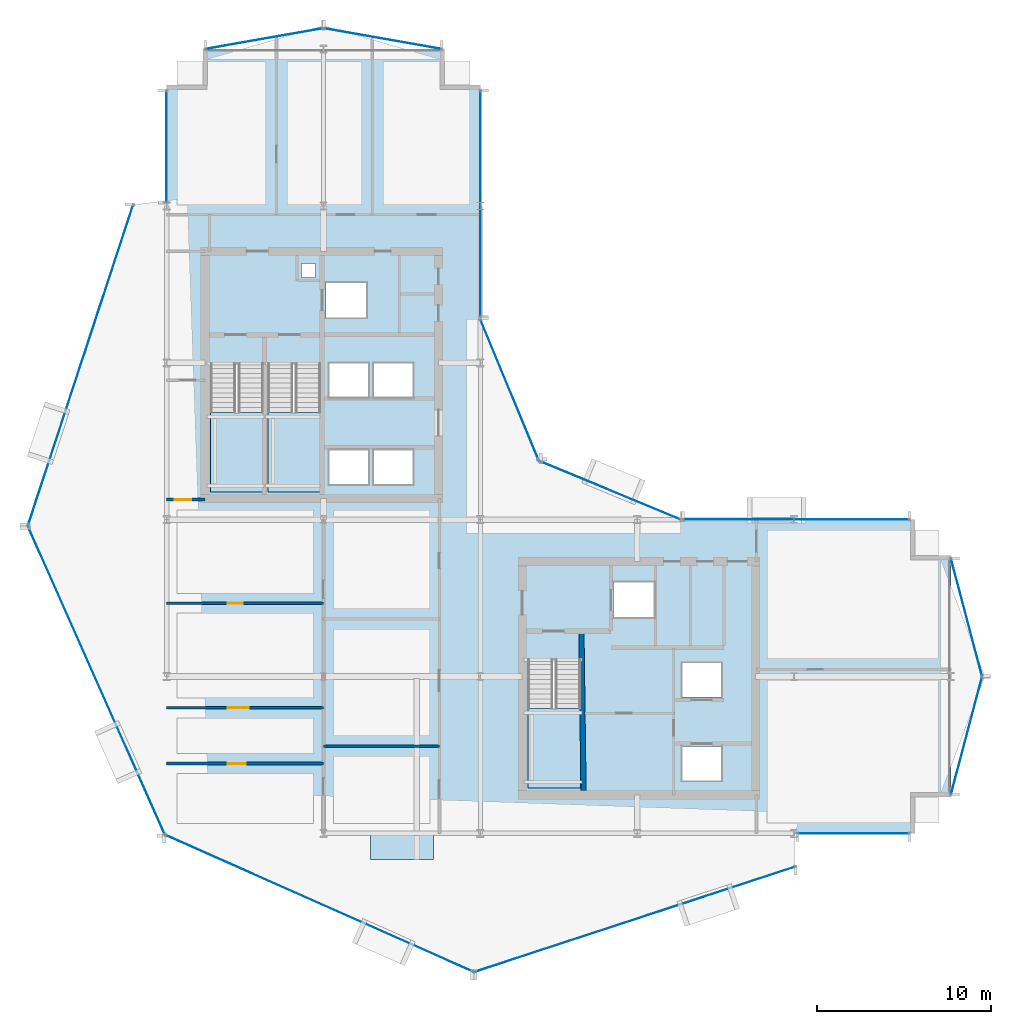
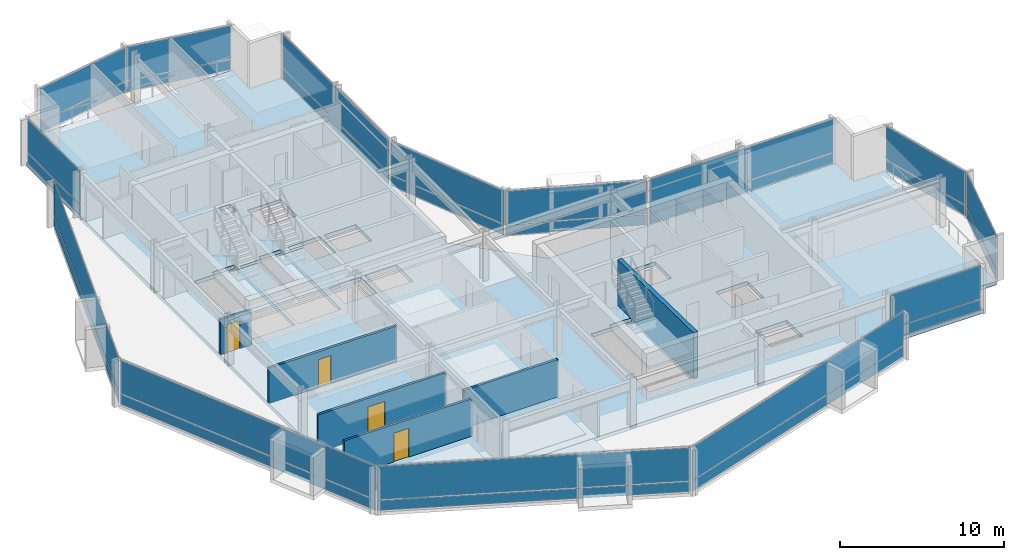
# One storey, part 21 of 29: 28 plates, 6 walls, 5 slabs, 4 doors, 4 openings, 17 elements without a shape of their own.
"""IFC4 building model written with IfcOpenShell, lengths in metres."""

from ifc_helpers import new_model, si_unit, direction, frame, frame_2d, origin, origin_2d, place, context, subcontext, project, spatial, polyline, rectangle, outline, extrude, material, layer, layer_set, type_object, element, fill, aggregate, save


model = new_model("IFC4")

# Units and contexts
model_context = context("Model", 3, precision=1e-05, world=origin(), true_north=direction((0.0, 1.0)))
body_context = subcontext(model_context, "Body", "Model", "MODEL_VIEW")
ifc_project = project(units=[si_unit("LENGTHUNIT", "METRE"), si_unit("AREAUNIT", "SQUARE_METRE"), si_unit("VOLUMEUNIT", "CUBIC_METRE"), si_unit("PLANEANGLEUNIT", "RADIAN"), si_unit("MASSUNIT", "GRAM", prefix="KILO")], contexts=[model_context])

# Site, building, storey
site_placement = place(None, origin())
site = spatial("IfcSite", under=ifc_project, at=site_placement, CompositionType="ELEMENT")
building_placement = place(site_placement, origin())
building = spatial("IfcBuilding", under=site, at=building_placement, Name="Solvaryn Broadcast Tower", CompositionType="ELEMENT")
storey_placement = place(building_placement, frame((0.0, 0.0, 128.5)))
storey = spatial("IfcBuildingStorey", under=building, at=storey_placement, Name="L31", CompositionType="ELEMENT", Elevation=128.5)

# Curtain wall, plates
ifc_material_1 = material(Name="Aluminium and Terracotta Unitised Curtain Wall", Category="masonry")
ifc_layer_1 = layer(ifc_material_1, 0.199951171875)
ifc_layer_set_1 = layer_set([ifc_layer_1], Name="CW-SYS2-LOWMID")
curtain_wall_type_1 = type_object("IfcCurtainWallType", Name="CW-SYS2-LOWMID", PredefinedType="NOTDEFINED", material=ifc_layer_set_1)
curtain_wall_1_placement = place(storey_placement, origin())
curtain_wall_1 = element("IfcCurtainWall", 1, at=curtain_wall_1_placement, inside=storey, type_object=curtain_wall_type_1, Name="L31 Curtain Wall DR1", PredefinedType="NOTDEFINED")
ifc_material_2 = material(Name="Low-Iron Insulated Vision Glass", Category="glass")
ifc_layer_2 = layer(ifc_material_2, 0.035888671875)
ifc_layer_set_2 = layer_set([ifc_layer_2], Name="CW-PNL-VISION")
plate_type = type_object("IfcPlateType", Name="CW-PNL-VISION", PredefinedType="CURTAIN_PANEL", material=ifc_layer_set_2)
plate_1_placement = place(storey_placement, frame((4.056396484375, 35.8515625, 0.06005859375), z_axis=(0.0, 0.0, 1.0), x_axis=(-0.311646057547, -0.950198260794, 0.0)))
plate_1 = element("IfcPlate", 2, at=plate_1_placement, type_object=plate_type, Name="CWS2 panel 1.1", PredefinedType="CURTAIN_PANEL", context=body_context, shape_type="SweptSolid", body=[
    extrude(rectangle(XDim=19.277099609375, YDim=0.028076171875, at=origin_2d()), origin(), (0.0, 0.0, 1.0), 0.760009765625),
])
plate_2_placement = place(storey_placement, frame((4.056396484375, 35.8515625, 0.880126953125), z_axis=(0.0, 0.0, 1.0), x_axis=(-0.311646057547, -0.950198260794, 0.0)))
plate_2 = element("IfcPlate", 3, at=plate_2_placement, type_object=plate_type, Name="CWS2 panel 1.2", PredefinedType="CURTAIN_PANEL", context=body_context, shape_type="SweptSolid", body=[
    extrude(rectangle(XDim=19.277099609375, YDim=0.028076171875, at=origin_2d()), origin(), (0.0, 0.0, 1.0), 2.47998046875),
])
aggregate(curtain_wall_1, [plate_1, plate_2])

ifc_material_3 = material(Name="Aluminium and Terracotta Unitised Curtain Wall", Category="masonry")
ifc_layer_3 = layer(ifc_material_3, 0.239990234375)
ifc_layer_set_3 = layer_set([ifc_layer_3], Name="CW-SYS3-BAYBOX")
curtain_wall_type_2 = type_object("IfcCurtainWallType", Name="CW-SYS3-BAYBOX", PredefinedType="NOTDEFINED", material=ifc_layer_set_3)
curtain_wall_2_placement = place(storey_placement, origin())
curtain_wall_2 = element("IfcCurtainWall", 4, at=curtain_wall_2_placement, inside=storey, type_object=curtain_wall_type_2, Name="L31 Curtain Wall DR2", PredefinedType="NOTDEFINED")
plate_3_placement = place(storey_placement, frame((4.970947265625, 17.77197265625, 0.06005859375), z_axis=(0.0, 0.0, 1.0), x_axis=(0.405918429309, -0.913909311008, 0.0)))
plate_3 = element("IfcPlate", 5, at=plate_3_placement, type_object=plate_type, Name="CWS3 panel 1.1", PredefinedType="CURTAIN_PANEL", context=body_context, shape_type="SweptSolid", body=[
    extrude(rectangle(XDim=19.278076171875, YDim=0.028076171875, at=origin_2d()), origin(), (0.0, 0.0, 1.0), 0.760009765625),
])
plate_4_placement = place(storey_placement, frame((4.970947265625, 17.77197265625, 0.880126953125), z_axis=(0.0, 0.0, 1.0), x_axis=(0.405918429309, -0.913909311008, 0.0)))
plate_4 = element("IfcPlate", 6, at=plate_4_placement, type_object=plate_type, Name="CWS3 panel 1.2", PredefinedType="CURTAIN_PANEL", context=body_context, shape_type="SweptSolid", body=[
    extrude(rectangle(XDim=19.278076171875, YDim=0.028076171875, at=origin_2d()), origin(), (0.0, 0.0, 1.0), 2.47998046875),
])
aggregate(curtain_wall_2, [plate_3, plate_4])

curtain_wall_3_placement = place(storey_placement, origin())
curtain_wall_3 = element("IfcCurtainWall", 7, at=curtain_wall_3_placement, inside=storey, type_object=curtain_wall_type_1, Name="L31 Curtain Wall DR3", PredefinedType="NOTDEFINED")
plate_5_placement = place(storey_placement, frame((17.77197265625, 4.970947265625, 0.06005859375), z_axis=(0.0, 0.0, 1.0), x_axis=(0.913909311008, -0.405918429309, 0.0)))
plate_5 = element("IfcPlate", 8, at=plate_5_placement, type_object=plate_type, Name="CWS2 panel 1.1", PredefinedType="CURTAIN_PANEL", context=body_context, shape_type="SweptSolid", body=[
    extrude(rectangle(XDim=19.278076171875, YDim=0.028076171875, at=origin_2d()), origin(), (0.0, 0.0, 1.0), 0.760009765625),
])
plate_6_placement = place(storey_placement, frame((17.77197265625, 4.970947265625, 0.880126953125), z_axis=(0.0, 0.0, 1.0), x_axis=(0.913909311008, -0.405918429309, 0.0)))
plate_6 = element("IfcPlate", 9, at=plate_6_placement, type_object=plate_type, Name="CWS2 panel 1.2", PredefinedType="CURTAIN_PANEL", context=body_context, shape_type="SweptSolid", body=[
    extrude(rectangle(XDim=19.278076171875, YDim=0.028076171875, at=origin_2d()), origin(), (0.0, 0.0, 1.0), 2.47998046875),
])
aggregate(curtain_wall_3, [plate_5, plate_6])

curtain_wall_4_placement = place(storey_placement, origin())
curtain_wall_4 = element("IfcCurtainWall", 10, at=curtain_wall_4_placement, inside=storey, type_object=curtain_wall_type_1, Name="L31 Curtain Wall DR4", PredefinedType="NOTDEFINED")
plate_7_placement = place(storey_placement, frame((35.8515625, 4.056396484375, 0.06005859375), z_axis=(0.0, 0.0, 1.0), x_axis=(0.950198260794, 0.311646057547, 0.0)))
plate_7 = element("IfcPlate", 11, at=plate_7_placement, type_object=plate_type, Name="CWS2 panel 1.1", PredefinedType="CURTAIN_PANEL", context=body_context, shape_type="SweptSolid", body=[
    extrude(rectangle(XDim=19.277099609375, YDim=0.028076171875, at=origin_2d()), origin(), (0.0, 0.0, 1.0), 0.760009765625),
])
plate_8_placement = place(storey_placement, frame((35.8515625, 4.056396484375, 0.880126953125), z_axis=(0.0, 0.0, 1.0), x_axis=(0.950198260794, 0.311646057547, 0.0)))
plate_8 = element("IfcPlate", 12, at=plate_8_placement, type_object=plate_type, Name="CWS2 panel 1.2", PredefinedType="CURTAIN_PANEL", context=body_context, shape_type="SweptSolid", body=[
    extrude(rectangle(XDim=19.277099609375, YDim=0.028076171875, at=origin_2d()), origin(), (0.0, 0.0, 1.0), 2.47998046875),
])
aggregate(curtain_wall_4, [plate_7, plate_8])

curtain_wall_5_placement = place(storey_placement, origin())
curtain_wall_5 = element("IfcCurtainWall", 13, at=curtain_wall_5_placement, inside=storey, type_object=curtain_wall_type_1, Name="L31 Curtain Wall W2", PredefinedType="NOTDEFINED")
plate_9_placement = place(storey_placement, frame((9.0, 48.408447265625, 0.06005859375), z_axis=(0.0, 0.0, 1.0), x_axis=(0.0, 1.0, 0.0)))
plate_9 = element("IfcPlate", 14, at=plate_9_placement, type_object=plate_type, Name="CWS2 panel 1.1", PredefinedType="CURTAIN_PANEL", context=body_context, shape_type="SweptSolid", body=[
    extrude(rectangle(XDim=6.363037109375, YDim=0.028076171875, at=origin_2d()), origin(), (0.0, 0.0, 1.0), 0.760009765625),
])
plate_10_placement = place(storey_placement, frame((9.0, 48.408447265625, 0.880126953125), z_axis=(0.0, 0.0, 1.0), x_axis=(0.0, 1.0, 0.0)))
plate_10 = element("IfcPlate", 15, at=plate_10_placement, type_object=plate_type, Name="CWS2 panel 1.2", PredefinedType="CURTAIN_PANEL", context=body_context, shape_type="SweptSolid", body=[
    extrude(rectangle(XDim=6.363037109375, YDim=0.028076171875, at=origin_2d()), origin(), (0.0, 0.0, 1.0), 2.47998046875),
])
aggregate(curtain_wall_5, [plate_9, plate_10])

curtain_wall_6_placement = place(storey_placement, origin())
curtain_wall_6 = element("IfcCurtainWall", 16, at=curtain_wall_6_placement, inside=storey, type_object=curtain_wall_type_1, Name="L31 Curtain Wall IV", PredefinedType="NOTDEFINED")
plate_11_placement = place(storey_placement, frame((27.0, 45.125, 0.06005859375), z_axis=(0.0, 0.0, 1.0), x_axis=(0.0, -1.0, 0.0)))
plate_11 = element("IfcPlate", 17, at=plate_11_placement, type_object=plate_type, Name="CWS2 panel 1.1", PredefinedType="CURTAIN_PANEL", context=body_context, shape_type="SweptSolid", body=[
    extrude(rectangle(XDim=12.929931640625, YDim=0.028076171875, at=origin_2d()), origin(), (0.0, 0.0, 1.0), 0.760009765625),
])
plate_12_placement = place(storey_placement, frame((27.0, 45.125, 0.880126953125), z_axis=(0.0, 0.0, 1.0), x_axis=(0.0, -1.0, 0.0)))
plate_12 = element("IfcPlate", 18, at=plate_12_placement, type_object=plate_type, Name="CWS2 panel 1.2", PredefinedType="CURTAIN_PANEL", context=body_context, shape_type="SweptSolid", body=[
    extrude(rectangle(XDim=12.929931640625, YDim=0.028076171875, at=origin_2d()), origin(), (0.0, 0.0, 1.0), 2.47998046875),
])
aggregate(curtain_wall_6, [plate_11, plate_12])

curtain_wall_7_placement = place(storey_placement, origin())
curtain_wall_7 = element("IfcCurtainWall", 19, at=curtain_wall_7_placement, inside=storey, type_object=curtain_wall_type_1, Name="L31 Curtain Wall CN1", PredefinedType="NOTDEFINED")
plate_13_placement = place(storey_placement, frame((34.43408203125, 28.68408203125, 0.06005859375), z_axis=(0.0, 0.0, 1.0), x_axis=(-0.923894983957, 0.382646127145, 0.0)))
plate_13 = element("IfcPlate", 20, at=plate_13_placement, type_object=plate_type, Name="CWS2 panel 1.1", PredefinedType="CURTAIN_PANEL", context=body_context, shape_type="SweptSolid", body=[
    extrude(rectangle(XDim=8.681884765625, YDim=0.028076171875, at=origin_2d()), origin(), (0.0, 0.0, 1.0), 0.760009765625),
])
plate_14_placement = place(storey_placement, frame((34.43408203125, 28.68408203125, 0.880126953125), z_axis=(0.0, 0.0, 1.0), x_axis=(-0.923894983957, 0.382646127145, 0.0)))
plate_14 = element("IfcPlate", 21, at=plate_14_placement, type_object=plate_type, Name="CWS2 panel 1.2", PredefinedType="CURTAIN_PANEL", context=body_context, shape_type="SweptSolid", body=[
    extrude(rectangle(XDim=8.681884765625, YDim=0.028076171875, at=origin_2d()), origin(), (0.0, 0.0, 1.0), 2.47998046875),
])
aggregate(curtain_wall_7, [plate_13, plate_14])

curtain_wall_8_placement = place(storey_placement, origin())
curtain_wall_8 = element("IfcCurtainWall", 22, at=curtain_wall_8_placement, inside=storey, type_object=curtain_wall_type_1, Name="L31 Curtain Wall CN2", PredefinedType="NOTDEFINED")
plate_15_placement = place(storey_placement, frame((28.68408203125, 34.43408203125, 0.06005859375), z_axis=(0.0, 0.0, 1.0), x_axis=(-0.382646127145, 0.923894983957, 0.0)))
plate_15 = element("IfcPlate", 23, at=plate_15_placement, type_object=plate_type, Name="CWS2 panel 1.1", PredefinedType="CURTAIN_PANEL", context=body_context, shape_type="SweptSolid", body=[
    extrude(rectangle(XDim=8.681884765625, YDim=0.028076171875, at=origin_2d()), origin(), (0.0, 0.0, 1.0), 0.760009765625),
])
plate_16_placement = place(storey_placement, frame((28.68408203125, 34.43408203125, 0.880126953125), z_axis=(0.0, 0.0, 1.0), x_axis=(-0.382646127145, 0.923894983957, 0.0)))
plate_16 = element("IfcPlate", 24, at=plate_16_placement, type_object=plate_type, Name="CWS2 panel 1.2", PredefinedType="CURTAIN_PANEL", context=body_context, shape_type="SweptSolid", body=[
    extrude(rectangle(XDim=8.681884765625, YDim=0.028076171875, at=origin_2d()), origin(), (0.0, 0.0, 1.0), 2.47998046875),
])
aggregate(curtain_wall_8, [plate_15, plate_16])

curtain_wall_9_placement = place(storey_placement, origin())
curtain_wall_9 = element("IfcCurtainWall", 25, at=curtain_wall_9_placement, inside=storey, type_object=curtain_wall_type_1, Name="L31 Curtain Wall S2", PredefinedType="NOTDEFINED")
plate_17_placement = place(storey_placement, frame((48.408447265625, 9.0, 0.06005859375), z_axis=(0.0, 0.0, 1.0), x_axis=(1.0, 0.0, 0.0)))
plate_17 = element("IfcPlate", 26, at=plate_17_placement, type_object=plate_type, Name="CWS2 panel 1.1", PredefinedType="CURTAIN_PANEL", context=body_context, shape_type="SweptSolid", body=[
    extrude(rectangle(XDim=6.363037109375, YDim=0.028076171875, at=origin_2d()), origin(), (0.0, 0.0, 1.0), 0.760009765625),
])
plate_18_placement = place(storey_placement, frame((48.408447265625, 9.0, 0.880126953125), z_axis=(0.0, 0.0, 1.0), x_axis=(1.0, 0.0, 0.0)))
plate_18 = element("IfcPlate", 27, at=plate_18_placement, type_object=plate_type, Name="CWS2 panel 1.2", PredefinedType="CURTAIN_PANEL", context=body_context, shape_type="SweptSolid", body=[
    extrude(rectangle(XDim=6.363037109375, YDim=0.028076171875, at=origin_2d()), origin(), (0.0, 0.0, 1.0), 2.47998046875),
])
aggregate(curtain_wall_9, [plate_17, plate_18])

curtain_wall_10_placement = place(storey_placement, origin())
curtain_wall_10 = element("IfcCurtainWall", 28, at=curtain_wall_10_placement, inside=storey, type_object=curtain_wall_type_1, Name="L31 Curtain Wall NT1", PredefinedType="NOTDEFINED")
plate_19_placement = place(storey_placement, frame((21.39990234375, 54.60009765625, 0.06005859375), z_axis=(0.0, 0.0, 1.0), x_axis=(-0.984783558819, 0.173785333901, 0.0)))
plate_19 = element("IfcPlate", 29, at=plate_19_placement, type_object=plate_type, Name="CWS2 panel 1.1", PredefinedType="CURTAIN_PANEL", context=body_context, shape_type="SweptSolid", body=[
    extrude(rectangle(XDim=6.78515625, YDim=0.028076171875, at=origin_2d()), origin(), (0.0, 0.0, 1.0), 0.760009765625),
])
plate_20_placement = place(storey_placement, frame((21.39990234375, 54.60009765625, 0.880126953125), z_axis=(0.0, 0.0, 1.0), x_axis=(-0.984783558819, 0.173785333901, 0.0)))
plate_20 = element("IfcPlate", 30, at=plate_20_placement, type_object=plate_type, Name="CWS2 panel 1.2", PredefinedType="CURTAIN_PANEL", context=body_context, shape_type="SweptSolid", body=[
    extrude(rectangle(XDim=6.78515625, YDim=0.028076171875, at=origin_2d()), origin(), (0.0, 0.0, 1.0), 2.47998046875),
])
aggregate(curtain_wall_10, [plate_19, plate_20])

curtain_wall_11_placement = place(storey_placement, origin())
curtain_wall_11 = element("IfcCurtainWall", 31, at=curtain_wall_11_placement, inside=storey, type_object=curtain_wall_type_1, Name="L31 Curtain Wall NT2", PredefinedType="NOTDEFINED")
plate_21_placement = place(storey_placement, frame((14.60009765625, 54.60009765625, 0.06005859375), z_axis=(0.0, 0.0, 1.0), x_axis=(-0.984783558819, -0.173785333901, 0.0)))
plate_21 = element("IfcPlate", 32, at=plate_21_placement, type_object=plate_type, Name="CWS2 panel 1.1", PredefinedType="CURTAIN_PANEL", context=body_context, shape_type="SweptSolid", body=[
    extrude(rectangle(XDim=6.78515625, YDim=0.028076171875, at=origin_2d()), origin(), (0.0, 0.0, 1.0), 0.760009765625),
])
plate_22_placement = place(storey_placement, frame((14.60009765625, 54.60009765625, 0.880126953125), z_axis=(0.0, 0.0, 1.0), x_axis=(-0.984783558819, -0.173785333901, 0.0)))
plate_22 = element("IfcPlate", 33, at=plate_22_placement, type_object=plate_type, Name="CWS2 panel 1.2", PredefinedType="CURTAIN_PANEL", context=body_context, shape_type="SweptSolid", body=[
    extrude(rectangle(XDim=6.78515625, YDim=0.028076171875, at=origin_2d()), origin(), (0.0, 0.0, 1.0), 2.47998046875),
])
aggregate(curtain_wall_11, [plate_21, plate_22])

curtain_wall_12_placement = place(storey_placement, origin())
curtain_wall_12 = element("IfcCurtainWall", 34, at=curtain_wall_12_placement, inside=storey, type_object=curtain_wall_type_1, Name="L31 Curtain Wall ET1", PredefinedType="NOTDEFINED")
plate_23_placement = place(storey_placement, frame((54.89990234375, 21.39990234375, 0.06005859375), z_axis=(0.0, 0.0, 1.0), x_axis=(0.25589256031, -0.966705227863, 0.0)))
plate_23 = element("IfcPlate", 35, at=plate_23_placement, type_object=plate_type, Name="CWS2 panel 1.1", PredefinedType="CURTAIN_PANEL", context=body_context, shape_type="SweptSolid", body=[
    extrude(rectangle(XDim=6.914306640625, YDim=0.028076171875, at=origin_2d()), origin(), (0.0, 0.0, 1.0), 0.760009765625),
])
plate_24_placement = place(storey_placement, frame((54.89990234375, 21.39990234375, 0.880126953125), z_axis=(0.0, 0.0, 1.0), x_axis=(0.25589256031, -0.966705227863, 0.0)))
plate_24 = element("IfcPlate", 36, at=plate_24_placement, type_object=plate_type, Name="CWS2 panel 1.2", PredefinedType="CURTAIN_PANEL", context=body_context, shape_type="SweptSolid", body=[
    extrude(rectangle(XDim=6.914306640625, YDim=0.028076171875, at=origin_2d()), origin(), (0.0, 0.0, 1.0), 2.47998046875),
])
aggregate(curtain_wall_12, [plate_23, plate_24])

curtain_wall_13_placement = place(storey_placement, origin())
curtain_wall_13 = element("IfcCurtainWall", 37, at=curtain_wall_13_placement, inside=storey, type_object=curtain_wall_type_1, Name="L31 Curtain Wall ET2", PredefinedType="NOTDEFINED")
plate_25_placement = place(storey_placement, frame((54.89990234375, 14.60009765625, 0.06005859375), z_axis=(0.0, 0.0, 1.0), x_axis=(-0.25589256031, -0.966705227863, 0.0)))
plate_25 = element("IfcPlate", 38, at=plate_25_placement, type_object=plate_type, Name="CWS2 panel 1.1", PredefinedType="CURTAIN_PANEL", context=body_context, shape_type="SweptSolid", body=[
    extrude(rectangle(XDim=6.914306640625, YDim=0.028076171875, at=origin_2d()), origin(), (0.0, 0.0, 1.0), 0.760009765625),
])
plate_26_placement = place(storey_placement, frame((54.89990234375, 14.60009765625, 0.880126953125), z_axis=(0.0, 0.0, 1.0), x_axis=(-0.25589256031, -0.966705227863, 0.0)))
plate_26 = element("IfcPlate", 39, at=plate_26_placement, type_object=plate_type, Name="CWS2 panel 1.2", PredefinedType="CURTAIN_PANEL", context=body_context, shape_type="SweptSolid", body=[
    extrude(rectangle(XDim=6.914306640625, YDim=0.028076171875, at=origin_2d()), origin(), (0.0, 0.0, 1.0), 2.47998046875),
])
aggregate(curtain_wall_13, [plate_25, plate_26])

curtain_wall_14_placement = place(storey_placement, origin())
curtain_wall_14 = element("IfcCurtainWall", 40, at=curtain_wall_14_placement, inside=storey, type_object=curtain_wall_type_1, Name="L31 Curtain Wall IH", PredefinedType="NOTDEFINED")
plate_27_placement = place(storey_placement, frame((45.125, 27.0, 0.06005859375), z_axis=(0.0, 0.0, 1.0), x_axis=(1.0, 0.0, 0.0)))
plate_27 = element("IfcPlate", 41, at=plate_27_placement, type_object=plate_type, Name="CWS2 panel 1.1", PredefinedType="CURTAIN_PANEL", context=body_context, shape_type="SweptSolid", body=[
    extrude(rectangle(XDim=12.929931640625, YDim=0.028076171875, at=origin_2d()), origin(), (0.0, 0.0, 1.0), 0.760009765625),
])
plate_28_placement = place(storey_placement, frame((45.125, 27.0, 0.880126953125), z_axis=(0.0, 0.0, 1.0), x_axis=(1.0, 0.0, 0.0)))
plate_28 = element("IfcPlate", 42, at=plate_28_placement, type_object=plate_type, Name="CWS2 panel 1.2", PredefinedType="CURTAIN_PANEL", context=body_context, shape_type="SweptSolid", body=[
    extrude(rectangle(XDim=12.929931640625, YDim=0.028076171875, at=origin_2d()), origin(), (0.0, 0.0, 1.0), 2.47998046875),
])
aggregate(curtain_wall_14, [plate_27, plate_28])

# Slab
ifc_material_4 = material(Name="Concrete f'c 60 MPa", Category="concrete")
ifc_layer_4 = layer(ifc_material_4, 0.2099609375)
ifc_layer_set_4 = layer_set([ifc_layer_4], Name="SL-BAYBOX-210")
slab_type_1 = type_object("IfcSlabType", Name="SL-BAYBOX-210", PredefinedType="FLOOR", material=ifc_layer_set_4)
slab_1_placement = place(storey_placement, frame((0.0, 0.0, -0.2099609375)))
element("IfcSlab", 43, at=slab_1_placement, inside=storey, type_object=slab_type_1, Name="L31 Projecting Bay-Box Slab 1", PredefinedType="FLOOR", context=body_context, shape_type="SweptSolid", body=[
    extrude(outline(polyline([(20.699951171875, 7.5), (24.300048828125, 7.5), (24.300048828125, 9.0), (20.699951171875, 9.0), (20.699951171875, 7.5)])), origin(), (0.0, 0.0, 1.0), 0.2099609375),
])

# Stair, slab
ifc_material_5 = material(Name="Concrete f'c 60 MPa", Category="concrete")
stair_type = type_object("IfcStairType", Name="ST-CORE", PredefinedType="HALF_TURN_STAIR", material=ifc_material_5)
stair_1_placement = place(storey_placement, origin())
stair_1 = element("IfcStair", 44, at=stair_1_placement, inside=storey, type_object=stair_type, Name="L31 ST1", PredefinedType="HALF_TURN_STAIR")
ifc_material_6 = material(Name="Concrete f'c 60 MPa", Category="concrete")
ifc_layer_5 = layer(ifc_material_6, 0.199951171875)
ifc_layer_set_5 = layer_set([ifc_layer_5], Name="SL-LANDING-200")
slab_type_2 = type_object("IfcSlabType", Name="SL-LANDING-200", PredefinedType="LANDING", material=ifc_layer_set_5)
slab_2_placement = place(storey_placement, frame((0.0, 0.0, 1.64990234375)))
slab_2 = element("IfcSlab", 45, at=slab_2_placement, type_object=slab_type_2, Name="ST1 landing 1", PredefinedType="LANDING", context=body_context, shape_type="SweptSolid", body=[
    extrude(outline(polyline([(11.52001953125, 33.159912109375), (11.52001953125, 28.60009765625), (14.550048828125, 28.60009765625), (14.550048828125, 33.159912109375), (11.52001953125, 33.159912109375)])), origin(), (0.0, 0.0, 1.0), 0.2001953125),
])
aggregate(stair_1, [slab_2])

stair_2_placement = place(storey_placement, origin())
stair_2 = element("IfcStair", 46, at=stair_2_placement, inside=storey, type_object=stair_type, Name="L31 ST2", PredefinedType="HALF_TURN_STAIR")
slab_3_placement = place(storey_placement, frame((0.0, 0.0, 1.64990234375)))
slab_3 = element("IfcSlab", 47, at=slab_3_placement, type_object=slab_type_2, Name="ST2 landing 1", PredefinedType="LANDING", context=body_context, shape_type="SweptSolid", body=[
    extrude(outline(polyline([(14.800048828125, 33.159912109375), (14.800048828125, 28.60009765625), (17.830078125, 28.60009765625), (17.830078125, 33.159912109375), (14.800048828125, 33.159912109375)])), origin(), (0.0, 0.0, 1.0), 0.2001953125),
])
aggregate(stair_2, [slab_3])

stair_3_placement = place(storey_placement, origin())
stair_3 = element("IfcStair", 48, at=stair_3_placement, inside=storey, type_object=stair_type, Name="L31 ST3", PredefinedType="HALF_TURN_STAIR")
slab_4_placement = place(storey_placement, frame((0.0, 0.0, 1.64990234375)))
slab_4 = element("IfcSlab", 49, at=slab_4_placement, type_object=slab_type_2, Name="ST3 landing 1", PredefinedType="LANDING", context=body_context, shape_type="SweptSolid", body=[
    extrude(outline(polyline([(29.719970703125, 16.159912109375), (29.719970703125, 11.60009765625), (32.75, 11.60009765625), (32.75, 16.159912109375), (29.719970703125, 16.159912109375)])), origin(), (0.0, 0.0, 1.0), 0.2001953125),
])
aggregate(stair_3, [slab_4])

# Slab
ifc_material_7 = material(Name="Concrete f'c 60 MPa", Category="concrete")
ifc_layer_6 = layer(ifc_material_7, 0.280029296875)
ifc_layer_set_6 = layer_set([ifc_layer_6], Name="SL-TWR-280")
slab_type_3 = type_object("IfcSlabType", Name="SL-TWR-280", PredefinedType="FLOOR", material=ifc_layer_set_6)
slab_5_placement = place(storey_placement, frame((0.0, 0.0, -0.280029296875)))
element("IfcSlab", 50, at=slab_5_placement, inside=storey, type_object=slab_type_3, Name="L31 Structural Floor Slab", PredefinedType="FLOOR", context=body_context, shape_type="SweptSolid", body=[
    extrude(outline(polyline([(11.199951171875, 9.0), (51.800048828125, 9.0), (51.800048828125, 11.199951171875), (54.0, 11.199951171875), (54.0, 24.800048828125), (51.800048828125, 24.800048828125), (51.800048828125, 27.0), (31.5, 27.0), (27.0, 31.5), (27.0, 51.800048828125), (24.800048828125, 51.800048828125), (24.800048828125, 54.0), (11.199951171875, 54.0), (11.199951171875, 51.800048828125), (9.0, 51.800048828125), (9.0, 11.199951171875), (11.199951171875, 11.199951171875), (11.199951171875, 9.0)]), holes=[polyline([(11.52001953125, 28.60009765625), (14.550048828125, 28.60009765625), (14.550048828125, 35.9599609375), (12.97998046875, 35.9599609375), (12.97998046875, 35.679931640625), (11.52001953125, 35.679931640625), (11.52001953125, 28.60009765625)]), polyline([(14.800048828125, 28.60009765625), (17.830078125, 28.60009765625), (17.830078125, 35.9599609375), (16.260009765625, 35.9599609375), (16.260009765625, 35.679931640625), (14.800048828125, 35.679931640625), (14.800048828125, 28.60009765625)]), polyline([(29.719970703125, 11.60009765625), (32.75, 11.60009765625), (32.75, 18.9599609375), (31.179931640625, 18.9599609375), (31.179931640625, 18.679931640625), (29.719970703125, 18.679931640625), (29.719970703125, 11.60009765625)]), polyline([(18.14990234375, 38.60009765625), (20.449951171875, 38.60009765625), (20.449951171875, 40.60009765625), (18.14990234375, 40.60009765625), (18.14990234375, 38.60009765625)]), polyline([(18.324951171875, 29.02490234375), (20.574951171875, 29.02490234375), (20.574951171875, 30.97509765625), (18.324951171875, 30.97509765625), (18.324951171875, 29.02490234375)]), polyline([(20.875, 29.02490234375), (23.125, 29.02490234375), (23.125, 30.97509765625), (20.875, 30.97509765625), (20.875, 29.02490234375)]), polyline([(18.324951171875, 34.02490234375), (20.574951171875, 34.02490234375), (20.574951171875, 35.97509765625), (18.324951171875, 35.97509765625), (18.324951171875, 34.02490234375)]), polyline([(20.875, 34.02490234375), (23.125, 34.02490234375), (23.125, 35.97509765625), (20.875, 35.97509765625), (20.875, 34.02490234375)]), polyline([(34.64990234375, 21.39990234375), (36.949951171875, 21.39990234375), (36.949951171875, 23.39990234375), (34.64990234375, 23.39990234375), (34.64990234375, 21.39990234375)]), polyline([(38.574951171875, 12.02490234375), (40.824951171875, 12.02490234375), (40.824951171875, 13.97509765625), (38.574951171875, 13.97509765625), (38.574951171875, 12.02490234375)]), polyline([(38.574951171875, 16.824951171875), (40.824951171875, 16.824951171875), (40.824951171875, 18.77490234375), (38.574951171875, 18.77490234375), (38.574951171875, 16.824951171875)]), polyline([(16.75, 40.89990234375), (17.550048828125, 40.89990234375), (17.550048828125, 41.699951171875), (16.75, 41.699951171875), (16.75, 40.89990234375)])]), origin(), (0.0, 0.0, 1.0), 0.280029296875),
])

# Wall, opening, door
ifc_material_8 = material(Name="Metal-Stud Gypsum Office Partition")
ifc_layer_7 = layer(ifc_material_8, 0.159912109375)
ifc_layer_set_7 = layer_set([ifc_layer_7], Name="IW-PART-160")
wall_type_1 = type_object("IfcWallType", Name="IW-PART-160", PredefinedType="PARTITIONING", material=ifc_layer_set_7)
wall_1_placement = place(storey_placement, frame((9.0, 28.14990234375, 0.0), z_axis=(0.0, 0.0, 1.0), x_axis=(1.0, 0.0, 0.0)))
wall_1 = element("IfcWall", 51, at=wall_1_placement, inside=storey, type_object=wall_type_1, Name="L31 Interior Partition IW-L31-WM-S", PredefinedType="PARTITIONING", context=body_context, shape_type="SweptSolid", body=[
    extrude(rectangle(XDim=2.199951171875, YDim=0.159912109375, at=frame_2d((1.10009765625, 0.0))), origin(), (0.0, 0.0, 1.0), 2.634033203125),
])
opening_1_placement = place(wall_1_placement, frame((0.449951171875, 0.0, 0.0)))
opening_1 = element("IfcOpeningElement", 52, at=opening_1_placement, cuts=wall_1, Name="Opening ID01", PredefinedType="OPENING", context=body_context, shape_type="SweptSolid", body=[
    extrude(rectangle(XDim=0.949951171875, YDim=2.10009765625, at=frame_2d((0.47509765625, 1.050048828125))), frame((0.0, 0.090087890625, 0.0), z_axis=(0.0, -1.0, 0.0), x_axis=(1.0, 0.0, 0.0)), (0.0, 0.0, 1.0), 0.179931640625),
])
ifc_material_9 = material(Name="Flush Acoustic Steel and Timber Door Assembly", Category="steel")
door_type_1 = type_object("IfcDoorType", Name="ID-01-950X2100", OperationType="NOTDEFINED", PredefinedType="DOOR", material=ifc_material_9)
door_1_placement = place(opening_1_placement, origin())
door_1 = element("IfcDoor", 53, at=door_1_placement, inside=storey, type_object=door_type_1, Name="L31 Door DR-L31-WM0", OperationType="SINGLE_SWING_LEFT", OverallHeight=2.10009765625, OverallWidth=0.949951171875, PredefinedType="DOOR", context=body_context, shape_type="SweptSolid", body=[
    extrude(rectangle(XDim=0.949951171875, YDim=2.10009765625, at=frame_2d((0.47509765625, 1.050048828125))), frame((0.0, 0.02490234375, 0.0), z_axis=(0.0, -1.0, 0.0), x_axis=(1.0, 0.0, 0.0)), (0.0, 0.0, 1.0), 0.050048828125),
])
fill(opening_1, door_1)

# Wall
wall_2_placement = place(storey_placement, frame((18.0, 14.0, 0.0), z_axis=(0.0, 0.0, 1.0), x_axis=(1.0, 0.0, 0.0)))
element("IfcWall", 54, at=wall_2_placement, inside=storey, type_object=wall_type_1, Name="L31 Interior Partition IW-L31-SWE-H1", PredefinedType="PARTITIONING", context=body_context, shape_type="SweptSolid", body=[
    extrude(rectangle(XDim=6.64990234375, YDim=0.159912109375, at=frame_2d((3.324951171875, 0.0))), origin(), (0.0, 0.0, 1.0), 2.7919921875),
])

# Wall, opening, door
wall_3_placement = place(storey_placement, frame((9.0, 13.0, 0.0), z_axis=(0.0, 0.0, 1.0), x_axis=(1.0, 0.0, 0.0)))
wall_3 = element("IfcWall", 55, at=wall_3_placement, inside=storey, type_object=wall_type_1, Name="L31 Interior Partition IW-L31-SWW-H1", PredefinedType="PARTITIONING", context=body_context, shape_type="SweptSolid", body=[
    extrude(rectangle(XDim=9.0, YDim=0.159912109375, at=frame_2d((4.5, 0.0))), origin(), (0.0, 0.0, 1.0), 2.7919921875),
])
opening_2_placement = place(wall_3_placement, frame((3.5, 0.0, 0.0)))
opening_2 = element("IfcOpeningElement", 56, at=opening_2_placement, cuts=wall_3, Name="Opening ID03", PredefinedType="OPENING", context=body_context, shape_type="SweptSolid", body=[
    extrude(rectangle(XDim=1.050048828125, YDim=2.14990234375, at=frame_2d((0.52490234375, 1.074951171875))), frame((0.0, 0.090087890625, 0.0), z_axis=(0.0, -1.0, 0.0), x_axis=(1.0, 0.0, 0.0)), (0.0, 0.0, 1.0), 0.179931640625),
])
ifc_material_10 = material(Name="Flush Acoustic Steel and Timber Door Assembly", Category="steel")
door_type_2 = type_object("IfcDoorType", Name="ID-03-1050X2150", OperationType="NOTDEFINED", PredefinedType="DOOR", material=ifc_material_10)
door_2_placement = place(opening_2_placement, origin())
door_2 = element("IfcDoor", 57, at=door_2_placement, inside=storey, type_object=door_type_2, Name="L31 Door DR-L31-SWW-1", OperationType="SINGLE_SWING_RIGHT", OverallHeight=2.14990234375, OverallWidth=1.050048828125, PredefinedType="DOOR", context=body_context, shape_type="SweptSolid", body=[
    extrude(rectangle(XDim=1.050048828125, YDim=2.14990234375, at=frame_2d((0.52490234375, 1.074951171875))), frame((0.0, 0.02490234375, 0.0), z_axis=(0.0, -1.0, 0.0), x_axis=(1.0, 0.0, 0.0)), (0.0, 0.0, 1.0), 0.050048828125),
])
fill(opening_2, door_2)

wall_4_placement = place(storey_placement, frame((9.0, 16.199951171875, 0.0), z_axis=(0.0, 0.0, 1.0), x_axis=(1.0, 0.0, 0.0)))
wall_4 = element("IfcWall", 58, at=wall_4_placement, inside=storey, type_object=wall_type_1, Name="L31 Interior Partition IW-L31-SWW-H2", PredefinedType="PARTITIONING", context=body_context, shape_type="SweptSolid", body=[
    extrude(rectangle(XDim=9.0, YDim=0.159912109375, at=frame_2d((4.5, 0.0))), origin(), (0.0, 0.0, 1.0), 2.7919921875),
])
opening_3_placement = place(wall_4_placement, frame((3.5, 0.0, 0.0)))
opening_3 = element("IfcOpeningElement", 59, at=opening_3_placement, cuts=wall_4, Name="Opening ID04", PredefinedType="OPENING", context=body_context, shape_type="SweptSolid", body=[
    extrude(rectangle(XDim=1.199951171875, YDim=2.14990234375, at=frame_2d((0.60009765625, 1.074951171875))), frame((0.0, 0.090087890625, 0.0), z_axis=(0.0, -1.0, 0.0), x_axis=(1.0, 0.0, 0.0)), (0.0, 0.0, 1.0), 0.179931640625),
])
ifc_material_11 = material(Name="Flush Acoustic Steel and Timber Door Assembly", Category="steel")
door_type_3 = type_object("IfcDoorType", Name="ID-04-1200X2150", OperationType="NOTDEFINED", PredefinedType="DOOR", material=ifc_material_11)
door_3_placement = place(opening_3_placement, origin())
door_3 = element("IfcDoor", 60, at=door_3_placement, inside=storey, type_object=door_type_3, Name="L31 Door DR-L31-SWW-2", OperationType="SINGLE_SWING_LEFT", OverallHeight=2.14990234375, OverallWidth=1.199951171875, PredefinedType="DOOR", context=body_context, shape_type="SweptSolid", body=[
    extrude(rectangle(XDim=1.199951171875, YDim=2.14990234375, at=frame_2d((0.60009765625, 1.074951171875))), frame((0.0, 0.02490234375, 0.0), z_axis=(0.0, -1.0, 0.0), x_axis=(1.0, 0.0, 0.0)), (0.0, 0.0, 1.0), 0.050048828125),
])
fill(opening_3, door_3)

wall_5_placement = place(storey_placement, frame((9.0, 22.199951171875, 0.0), z_axis=(0.0, 0.0, 1.0), x_axis=(1.0, 0.0, 0.0)))
wall_5 = element("IfcWall", 61, at=wall_5_placement, inside=storey, type_object=wall_type_1, Name="L31 Interior Partition IW-L31-SWW-H3", PredefinedType="PARTITIONING", context=body_context, shape_type="SweptSolid", body=[
    extrude(rectangle(XDim=9.0, YDim=0.159912109375, at=frame_2d((4.5, 0.0))), origin(), (0.0, 0.0, 1.0), 2.634033203125),
])
opening_4_placement = place(wall_5_placement, frame((3.5, 0.0, 0.0)))
opening_4 = element("IfcOpeningElement", 62, at=opening_4_placement, cuts=wall_5, Name="Opening ID07", PredefinedType="OPENING", context=body_context, shape_type="SweptSolid", body=[
    extrude(rectangle(XDim=0.860107421875, YDim=2.050048828125, at=frame_2d((0.43017578125, 1.02490234375))), frame((0.0, 0.090087890625, 0.0), z_axis=(0.0, -1.0, 0.0), x_axis=(1.0, 0.0, 0.0)), (0.0, 0.0, 1.0), 0.179931640625),
])
ifc_material_12 = material(Name="Flush Acoustic Steel and Timber Door Assembly", Category="steel")
door_type_4 = type_object("IfcDoorType", Name="ID-07-860X2050", OperationType="NOTDEFINED", PredefinedType="DOOR", material=ifc_material_12)
door_4_placement = place(opening_4_placement, origin())
door_4 = element("IfcDoor", 63, at=door_4_placement, inside=storey, type_object=door_type_4, Name="L31 Door DR-L31-SWW-3", OperationType="SINGLE_SWING_RIGHT", OverallHeight=2.050048828125, OverallWidth=0.860107421875, PredefinedType="DOOR", context=body_context, shape_type="SweptSolid", body=[
    extrude(rectangle(XDim=0.860107421875, YDim=2.050048828125, at=frame_2d((0.43017578125, 1.02490234375))), frame((0.0, 0.02490234375, 0.0), z_axis=(0.0, -1.0, 0.0), x_axis=(1.0, 0.0, 0.0)), (0.0, 0.0, 1.0), 0.050048828125),
])
fill(opening_4, door_4)

# Wall
ifc_material_13 = material(Name="Concrete f'c 70 MPa", Category="concrete")
ifc_layer_8 = layer(ifc_material_13, 0.300048828125)
ifc_layer_set_8 = layer_set([ifc_layer_8], Name="SW-SHAFT-300")
wall_type_2 = type_object("IfcWallType", Name="SW-SHAFT-300", PredefinedType="SHEAR", material=ifc_layer_set_8)
wall_6_placement = place(storey_placement, frame((32.919921875, 11.449951171875, 0.0), z_axis=(0.0, 0.0, 1.0), x_axis=(-0.013171578211, 0.999913251001, 0.0)))
element("IfcWall", 64, at=wall_6_placement, inside=storey, type_object=wall_type_2, Name="L31 Stair 3 East Shear Wall", PredefinedType="SHEAR", context=body_context, shape_type="SweptSolid", body=[
    extrude(rectangle(XDim=9.100830078125, YDim=0.300048828125, at=frame_2d((4.55029296875, 0.0))), origin(), (0.0, 0.0, 1.0), 3.419921875),
])

save(model, "model.ifc")
